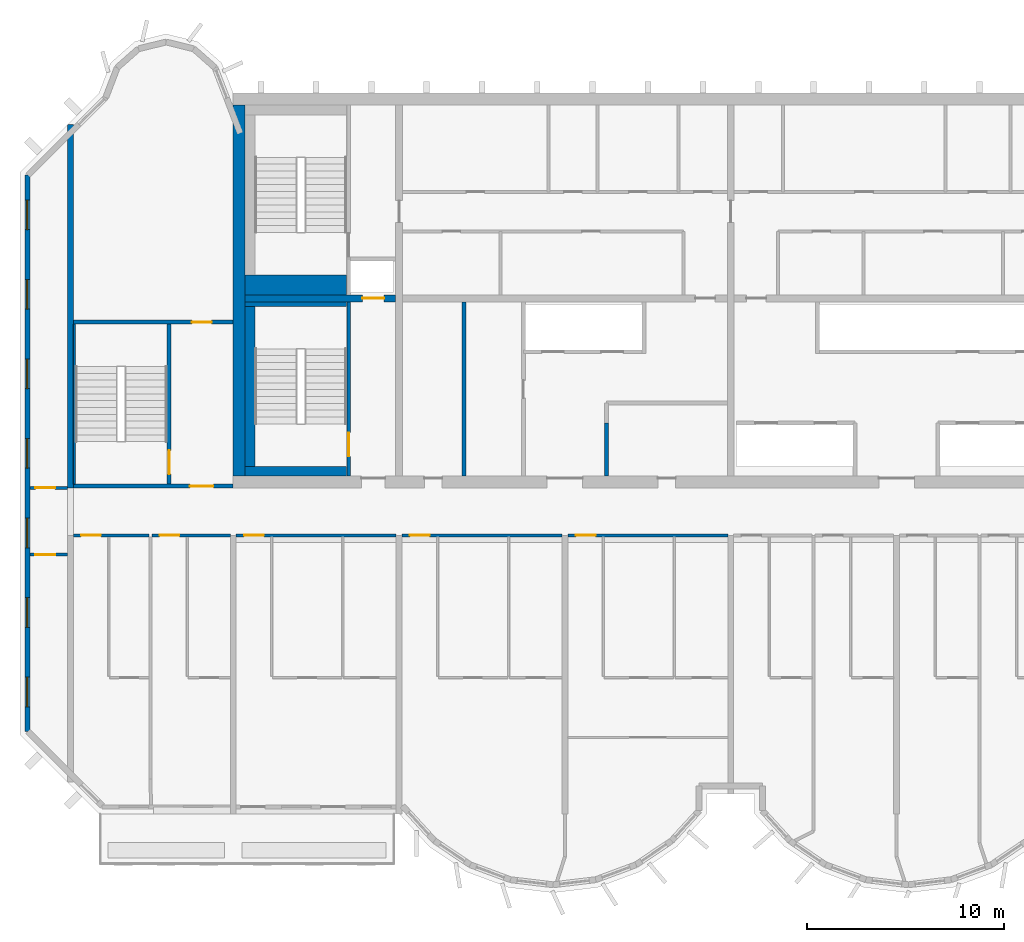
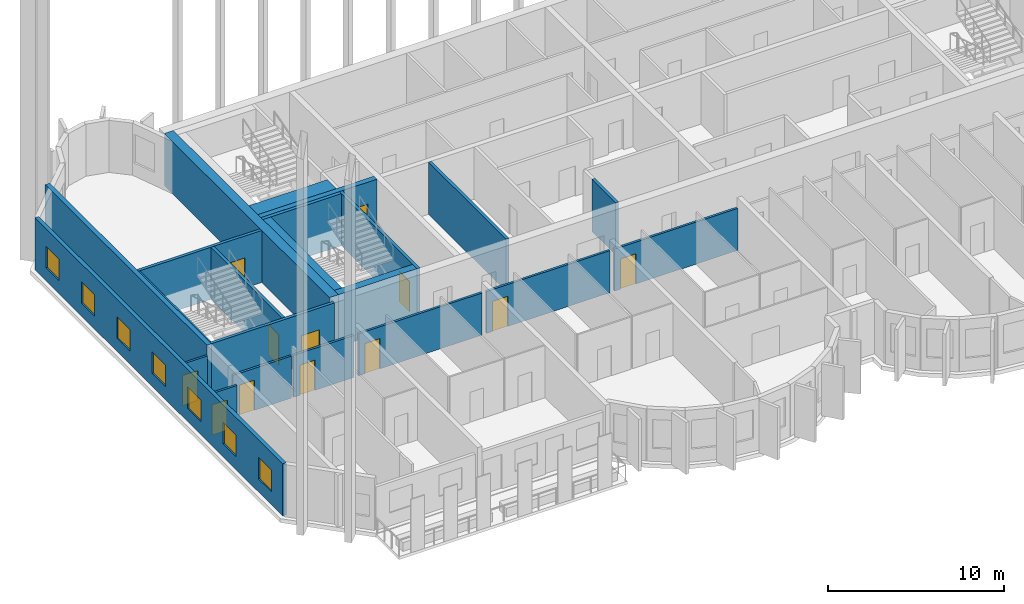
# One storey, part 3 of 13: 22 walls, 12 doors, 7 windows, 19 openings.
"""IFC4 building model written with IfcOpenShell, lengths in metres."""

from ifc_helpers import new_model, si_unit, direction, frame, frame_2d, origin, place, context, subcontext, project, spatial, rectangle, extrude, source, transform, mapped, material, layer, layer_set, type_object, element, fill, save


model = new_model("IFC4")

# Units and contexts
model_context = context("Model", 3, precision=1e-05, world=origin(), true_north=direction((0.0, 1.0)))
body_context = subcontext(model_context, "Body", "Model", "MODEL_VIEW")
ifc_project = project(units=[si_unit("LENGTHUNIT", "METRE"), si_unit("AREAUNIT", "SQUARE_METRE"), si_unit("VOLUMEUNIT", "CUBIC_METRE"), si_unit("PLANEANGLEUNIT", "RADIAN"), si_unit("MASSUNIT", "GRAM", prefix="KILO")], contexts=[model_context])

# Site, building, storey
site_placement = place(None, origin())
site = spatial("IfcSite", under=ifc_project, at=site_placement, CompositionType="ELEMENT")
building_placement = place(site_placement, origin())
building = spatial("IfcBuilding", under=site, at=building_placement, Name="Vanashikhar Sky Hotel", CompositionType="ELEMENT")
storey_placement = place(building_placement, frame((0.0, 0.0, 214.0)))
storey = spatial("IfcBuildingStorey", under=building, at=storey_placement, Name="L51", CompositionType="ELEMENT", Elevation=214.0)

# Wall
ifc_material_1 = material(Name="Concrete M60", Category="concrete")
ifc_layer_1 = layer(ifc_material_1, 0.60009765625)
ifc_layer_set_1 = layer_set([ifc_layer_1], Name="RC core shell wall 600 Concrete M60")
wall_type_1 = type_object("IfcWallType", Name="RC core shell wall 600 Concrete M60", PredefinedType="SHEAR", material=ifc_layer_set_1)
shared_shape_1 = source(origin(), body_context, "Body", "SweptSolid", [
    extrude(rectangle(XDim=18.7998046875, YDim=0.60009765625, at=frame_2d((9.39990234375, 0.0))), origin(), (0.0, 0.0, 1.0), 3.6201171875),
])
wall_1_placement = place(storey_placement, frame((25.5, 22.60009765625, 0.0), z_axis=(0.0, 0.0, 1.0), x_axis=(0.0, 1.0, 0.0)))
element("IfcWall", 1, at=wall_1_placement, inside=storey, type_object=wall_type_1, Name="KW-L51-KW", PredefinedType="SHEAR", context=body_context, shape_type="MappedRepresentation", body=[
    mapped(shared_shape_1, transform((0.0, 0.0, 0.0), scale=1.0)),
])

# Wall, opening, door
ifc_layer_2 = layer(ifc_material_1, 0.35009765625)
ifc_layer_set_2 = layer_set([ifc_layer_2], Name="RC core inner wall 350 Concrete M60")
wall_type_2 = type_object("IfcWallType", Name="RC core inner wall 350 Concrete M60", PredefinedType="SHEAR", material=ifc_layer_set_2)
shared_shape_2 = source(origin(), body_context, "Body", "SweptSolid", [
    extrude(rectangle(XDim=7.625, YDim=0.35009765625, at=frame_2d((3.8125, 0.0))), origin(), (0.0, 0.0, 1.0), 3.6201171875),
])
wall_2_placement = place(storey_placement, frame((25.800048828125, 31.60009765625, 0.0), z_axis=(0.0, 0.0, 1.0), x_axis=(1.0, 0.0, 0.0)))
wall_2 = element("IfcWall", 2, at=wall_2_placement, inside=storey, type_object=wall_type_2, Name="KW-L51-KY1", PredefinedType="SHEAR", context=body_context, shape_type="MappedRepresentation", body=[
    mapped(shared_shape_2, transform((0.0, 0.0, 0.0), scale=1.0)),
])
shared_shape_3 = source(origin(), body_context, "Body", "SweptSolid", [
    extrude(rectangle(XDim=1.10009765625, YDim=2.10009765625, at=frame_2d((0.550048828125, 1.050048828125))), frame((0.0, 0.18505859375, 0.0), z_axis=(0.0, -1.0, 0.0), x_axis=(1.0, 0.0, 0.0)), (0.0, 0.0, 1.0), 0.3701171875),
])
opening_1_placement = place(wall_2_placement, frame((5.93798828125, 0.0, 0.0)))
opening_1 = element("IfcOpeningElement", 3, at=opening_1_placement, cuts=wall_2, Name="Opening LD", PredefinedType="OPENING", context=body_context, shape_type="MappedRepresentation", body=[
    mapped(shared_shape_3, transform((0.0, 0.0, 0.0), scale=1.0)),
])
ifc_material_2 = material(Name="Stainless steel", Category="steel")
door_type_1 = type_object("IfcDoorType", Name="Lift landing door 1100", OperationType="NOTDEFINED", PredefinedType="DOOR", material=ifc_material_2)
shared_shape_4 = source(origin(), body_context, "Body", "SweptSolid", [
    extrude(rectangle(XDim=1.10009765625, YDim=2.10009765625, at=frame_2d((0.550048828125, 1.050048828125))), frame((0.0, 0.02490234375, 0.0), z_axis=(0.0, -1.0, 0.0), x_axis=(1.0, 0.0, 0.0)), (0.0, 0.0, 1.0), 0.050048828125),
])
door_1_placement = place(opening_1_placement, origin())
door_1 = element("IfcDoor", 4, at=door_1_placement, inside=storey, type_object=door_type_1, Name="Lift landing door 1100", OperationType="SLIDING_TO_LEFT", OverallHeight=2.10009765625, OverallWidth=1.10009765625, PredefinedType="DOOR", context=body_context, shape_type="MappedRepresentation", body=[
    mapped(shared_shape_4, transform((0.0, 0.0, 0.0), scale=1.0)),
])
fill(opening_1, door_1)

# Wall
ifc_layer_3 = layer(ifc_material_1, 0.300048828125)
ifc_layer_set_3 = layer_set([ifc_layer_3], Name="RC shear wall 300 Concrete M60")
wall_type_3 = type_object("IfcWallType", Name="RC shear wall 300 Concrete M60", PredefinedType="SHEAR", material=ifc_layer_set_3)
shared_shape_5 = source(origin(), body_context, "Body", "SweptSolid", [
    extrude(rectangle(XDim=18.39990234375, YDim=0.300048828125, at=frame_2d((9.199951171875, 0.0))), origin(), (0.0, 0.0, 1.0), 3.6201171875),
])
wall_3_placement = place(storey_placement, frame((16.949951171875, 22.0, 0.0), z_axis=(0.0, 0.0, 1.0), x_axis=(0.0, 1.0, 0.0)))
element("IfcWall", 5, at=wall_3_placement, inside=storey, type_object=wall_type_3, Name="CW-L51-XW03-2", PredefinedType="SHEAR", context=body_context, shape_type="MappedRepresentation", body=[
    mapped(shared_shape_5, transform((0.0, 0.0, 0.0), scale=1.0)),
])

# Wall, openings, windows
ifc_material_3 = material(Name="Concrete M50", Category="concrete")
ifc_layer_4 = layer(ifc_material_3, 0.25)
ifc_layer_set_4 = layer_set([ifc_layer_4], Name="Rear and end board-marked wall 250")
wall_type_4 = type_object("IfcWallType", Name="Rear and end board-marked wall 250", PredefinedType="SOLIDWALL", material=ifc_layer_set_4)
shared_shape_6 = source(origin(), body_context, "Body", "SweptSolid", [
    extrude(rectangle(XDim=28.189453125, YDim=0.25, at=frame_2d((14.0947265625, 0.0))), origin(), (0.0, 0.0, 1.0), 3.6201171875),
])
wall_4_placement = place(storey_placement, frame((14.77490234375, 37.8447265625, 0.0), z_axis=(0.0, 0.0, 1.0), x_axis=(0.0, -1.0, 0.0)))
wall_4 = element("IfcWall", 6, at=wall_4_placement, inside=storey, type_object=wall_type_4, Name="End board-marked wall", PredefinedType="SOLIDWALL", context=body_context, shape_type="MappedRepresentation", body=[
    mapped(shared_shape_6, transform((0.0, 0.0, 0.0), scale=1.0)),
])
shared_shape_7 = source(origin(), body_context, "Body", "SweptSolid", [
    extrude(rectangle(XDim=1.5, YDim=1.5, at=frame_2d((0.75, 0.75))), frame((0.0, 0.135009765625, 0.0), z_axis=(0.0, -1.0, 0.0), x_axis=(1.0, 0.0, 0.0)), (0.0, 0.0, 1.0), 0.27001953125),
])
opening_2_placement = place(wall_4_placement, frame((1.263427734375, 0.0, 0.89990234375)))
opening_2 = element("IfcOpeningElement", 7, at=opening_2_placement, cuts=wall_4, Name="Opening WN-1", PredefinedType="OPENING", context=body_context, shape_type="MappedRepresentation", body=[
    mapped(shared_shape_7, transform((0.0, 0.0, 0.0), scale=1.0)),
])
opening_3_placement = place(wall_4_placement, frame((5.29052734375, 0.0, 0.89990234375)))
opening_3 = element("IfcOpeningElement", 8, at=opening_3_placement, cuts=wall_4, Name="Opening WN-1", PredefinedType="OPENING", context=body_context, shape_type="MappedRepresentation", body=[
    mapped(shared_shape_7, transform((0.0, 0.0, 0.0), scale=1.0)),
])
opening_4_placement = place(wall_4_placement, frame((9.317626953125, 0.0, 0.89990234375)))
opening_4 = element("IfcOpeningElement", 9, at=opening_4_placement, cuts=wall_4, Name="Opening WN-1", PredefinedType="OPENING", context=body_context, shape_type="MappedRepresentation", body=[
    mapped(shared_shape_7, transform((0.0, 0.0, 0.0), scale=1.0)),
])
opening_5_placement = place(wall_4_placement, frame((13.3447265625, 0.0, 0.89990234375)))
opening_5 = element("IfcOpeningElement", 10, at=opening_5_placement, cuts=wall_4, Name="Opening WN-1", PredefinedType="OPENING", context=body_context, shape_type="MappedRepresentation", body=[
    mapped(shared_shape_7, transform((0.0, 0.0, 0.0), scale=1.0)),
])
opening_6_placement = place(wall_4_placement, frame((17.371826171875, 0.0, 0.89990234375)))
opening_6 = element("IfcOpeningElement", 11, at=opening_6_placement, cuts=wall_4, Name="Opening WN-1", PredefinedType="OPENING", context=body_context, shape_type="MappedRepresentation", body=[
    mapped(shared_shape_7, transform((0.0, 0.0, 0.0), scale=1.0)),
])
opening_7_placement = place(wall_4_placement, frame((21.398681640625, 0.0, 0.89990234375)))
opening_7 = element("IfcOpeningElement", 12, at=opening_7_placement, cuts=wall_4, Name="Opening WN-1", PredefinedType="OPENING", context=body_context, shape_type="MappedRepresentation", body=[
    mapped(shared_shape_7, transform((0.0, 0.0, 0.0), scale=1.0)),
])
opening_8_placement = place(wall_4_placement, frame((25.42578125, 0.0, 0.89990234375)))
opening_8 = element("IfcOpeningElement", 13, at=opening_8_placement, cuts=wall_4, Name="Opening WN-1", PredefinedType="OPENING", context=body_context, shape_type="MappedRepresentation", body=[
    mapped(shared_shape_7, transform((0.0, 0.0, 0.0), scale=1.0)),
])
ifc_material_4 = material(Name="Glass", Category="glass")
window_type = type_object("IfcWindowType", Name="Window 1500 x 1500", PartitioningType="SINGLE_PANEL", PredefinedType="WINDOW", material=ifc_material_4)
shared_shape_8 = source(origin(), body_context, "Body", "SweptSolid", [
    extrude(rectangle(XDim=1.5, YDim=1.5, at=frame_2d((0.75, 0.75))), frame((0.0, 0.030029296875, 0.0), z_axis=(0.0, -1.0, 0.0), x_axis=(1.0, 0.0, 0.0)), (0.0, 0.0, 1.0), 0.06005859375),
])
window_1_placement = place(opening_2_placement, origin())
window_1 = element("IfcWindow", 14, at=window_1_placement, inside=storey, type_object=window_type, Name="Window WN-1", OverallHeight=1.5, OverallWidth=1.5, PartitioningType="SINGLE_PANEL", PredefinedType="WINDOW", context=body_context, shape_type="MappedRepresentation", body=[
    mapped(shared_shape_8, transform((0.0, 0.0, 0.0), scale=1.0)),
])
fill(opening_2, window_1)
window_2_placement = place(opening_3_placement, origin())
window_2 = element("IfcWindow", 15, at=window_2_placement, inside=storey, type_object=window_type, Name="Window WN-1", OverallHeight=1.5, OverallWidth=1.5, PartitioningType="SINGLE_PANEL", PredefinedType="WINDOW", context=body_context, shape_type="MappedRepresentation", body=[
    mapped(shared_shape_8, transform((0.0, 0.0, 0.0), scale=1.0)),
])
fill(opening_3, window_2)
window_3_placement = place(opening_4_placement, origin())
window_3 = element("IfcWindow", 16, at=window_3_placement, inside=storey, type_object=window_type, Name="Window WN-1", OverallHeight=1.5, OverallWidth=1.5, PartitioningType="SINGLE_PANEL", PredefinedType="WINDOW", context=body_context, shape_type="MappedRepresentation", body=[
    mapped(shared_shape_8, transform((0.0, 0.0, 0.0), scale=1.0)),
])
fill(opening_4, window_3)
window_4_placement = place(opening_5_placement, origin())
window_4 = element("IfcWindow", 17, at=window_4_placement, inside=storey, type_object=window_type, Name="Window WN-1", OverallHeight=1.5, OverallWidth=1.5, PartitioningType="SINGLE_PANEL", PredefinedType="WINDOW", context=body_context, shape_type="MappedRepresentation", body=[
    mapped(shared_shape_8, transform((0.0, 0.0, 0.0), scale=1.0)),
])
fill(opening_5, window_4)
window_5_placement = place(opening_6_placement, origin())
window_5 = element("IfcWindow", 18, at=window_5_placement, inside=storey, type_object=window_type, Name="Window WN-1", OverallHeight=1.5, OverallWidth=1.5, PartitioningType="SINGLE_PANEL", PredefinedType="WINDOW", context=body_context, shape_type="MappedRepresentation", body=[
    mapped(shared_shape_8, transform((0.0, 0.0, 0.0), scale=1.0)),
])
fill(opening_6, window_5)
window_6_placement = place(opening_7_placement, origin())
window_6 = element("IfcWindow", 19, at=window_6_placement, inside=storey, type_object=window_type, Name="Window WN-1", OverallHeight=1.5, OverallWidth=1.5, PartitioningType="SINGLE_PANEL", PredefinedType="WINDOW", context=body_context, shape_type="MappedRepresentation", body=[
    mapped(shared_shape_8, transform((0.0, 0.0, 0.0), scale=1.0)),
])
fill(opening_7, window_6)
window_7_placement = place(opening_8_placement, origin())
window_7 = element("IfcWindow", 20, at=window_7_placement, inside=storey, type_object=window_type, Name="Window WN-1", OverallHeight=1.5, OverallWidth=1.5, PartitioningType="SINGLE_PANEL", PredefinedType="WINDOW", context=body_context, shape_type="MappedRepresentation", body=[
    mapped(shared_shape_8, transform((0.0, 0.0, 0.0), scale=1.0)),
])
fill(opening_8, window_7)

# Walls
ifc_material_5 = material(Name="Gypsum board partition")
ifc_layer_5 = layer(ifc_material_5, 0.14990234375)
ifc_layer_set_5 = layer_set([ifc_layer_5], Name="Service partition 150")
wall_type_5 = type_object("IfcWallType", Name="Service partition 150", PredefinedType="PARTITIONING", material=ifc_layer_set_5)
shared_shape_9 = source(origin(), body_context, "Body", "SweptSolid", [
    extrude(rectangle(XDim=8.824951171875, YDim=0.199951171875, at=frame_2d((4.41259765625, 0.0))), origin(), (0.0, 0.0, 1.0), 3.6201171875),
])
wall_5_placement = place(storey_placement, frame((36.89990234375, 22.60009765625, 0.0), z_axis=(0.0, 0.0, 1.0), x_axis=(0.0, 1.0, 0.0)))
element("IfcWall", 21, at=wall_5_placement, inside=storey, type_object=wall_type_5, Name="Service partition 150", PredefinedType="PARTITIONING", context=body_context, shape_type="MappedRepresentation", body=[
    mapped(shared_shape_9, transform((0.0, 0.0, 0.0), scale=1.0)),
])
shared_shape_10 = source(origin(), body_context, "Body", "SweptSolid", [
    extrude(rectangle(XDim=2.699951171875, YDim=0.199951171875, at=frame_2d((1.35009765625, 0.0))), origin(), (0.0, 0.0, 1.0), 3.6201171875),
])
wall_6_placement = place(storey_placement, frame((44.10009765625, 22.60009765625, 0.0), z_axis=(0.0, 0.0, 1.0), x_axis=(0.0, 1.0, 0.0)))
element("IfcWall", 22, at=wall_6_placement, inside=storey, type_object=wall_type_5, Name="Service partition 150", PredefinedType="PARTITIONING", context=body_context, shape_type="MappedRepresentation", body=[
    mapped(shared_shape_10, transform((0.0, 0.0, 0.0), scale=1.0)),
])

# Wall, opening, door
ifc_layer_6 = layer(ifc_material_3, 0.199951171875)
ifc_layer_set_6 = layer_set([ifc_layer_6], Name="Stair wall 200")
wall_type_6 = type_object("IfcWallType", Name="Stair wall 200", PredefinedType="SOLIDWALL", material=ifc_layer_set_6)
shared_shape_11 = source(origin(), body_context, "Body", "SweptSolid", [
    extrude(rectangle(XDim=8.824951171875, YDim=0.199951171875, at=frame_2d((4.41259765625, 0.0))), origin(), (0.0, 0.0, 1.0), 3.6201171875),
])
wall_7_placement = place(storey_placement, frame((31.050048828125, 22.60009765625, 0.0), z_axis=(0.0, 0.0, 1.0), x_axis=(0.0, 1.0, 0.0)))
wall_7 = element("IfcWall", 23, at=wall_7_placement, inside=storey, type_object=wall_type_6, Name="Stair wall 200", PredefinedType="SOLIDWALL", context=body_context, shape_type="MappedRepresentation", body=[
    mapped(shared_shape_11, transform((0.0, 0.0, 0.0), scale=1.0)),
])
shared_shape_12 = source(origin(), body_context, "Body", "SweptSolid", [
    extrude(rectangle(XDim=1.199951171875, YDim=2.10009765625, at=frame_2d((0.60009765625, 1.050048828125))), frame((0.0, 0.10986328125, 0.0), z_axis=(0.0, -1.0, 0.0), x_axis=(1.0, 0.0, 0.0)), (0.0, 0.0, 1.0), 0.219970703125),
])
opening_9_placement = place(wall_7_placement, frame((1.0, 0.0, 0.0)))
opening_9 = element("IfcOpeningElement", 24, at=opening_9_placement, cuts=wall_7, Name="Opening DC-1", PredefinedType="OPENING", context=body_context, shape_type="MappedRepresentation", body=[
    mapped(shared_shape_12, transform((0.0, 0.0, 0.0), scale=1.0)),
])
ifc_material_6 = material(Name="Steel", Category="steel")
door_type_2 = type_object("IfcDoorType", Name="Stair door 1200 FD120", OperationType="NOTDEFINED", PredefinedType="DOOR", material=ifc_material_6)
shared_shape_13 = source(origin(), body_context, "Body", "SweptSolid", [
    extrude(rectangle(XDim=1.199951171875, YDim=2.10009765625, at=frame_2d((0.60009765625, 1.050048828125))), frame((0.0, 0.02490234375, 0.0), z_axis=(0.0, -1.0, 0.0), x_axis=(1.0, 0.0, 0.0)), (0.0, 0.0, 1.0), 0.050048828125),
])
door_2_placement = place(opening_9_placement, origin())
door_2 = element("IfcDoor", 25, at=door_2_placement, inside=storey, type_object=door_type_2, Name="Stair door 1200 FD120", OperationType="SINGLE_SWING_LEFT", OverallHeight=2.10009765625, OverallWidth=1.199951171875, PredefinedType="DOOR", context=body_context, shape_type="MappedRepresentation", body=[
    mapped(shared_shape_13, transform((0.0, 0.0, 0.0), scale=1.0)),
])
fill(opening_9, door_2)

shared_shape_14 = source(origin(), body_context, "Body", "SweptSolid", [
    extrude(rectangle(XDim=8.2998046875, YDim=0.199951171875, at=frame_2d((4.14990234375, 0.0))), origin(), (0.0, 0.0, 1.0), 3.6201171875),
])
wall_8_placement = place(storey_placement, frame((21.949951171875, 22.10009765625, 0.0), z_axis=(0.0, 0.0, 1.0), x_axis=(0.0, 1.0, 0.0)))
wall_8 = element("IfcWall", 26, at=wall_8_placement, inside=storey, type_object=wall_type_6, Name="Stair wall 200", PredefinedType="SOLIDWALL", context=body_context, shape_type="MappedRepresentation", body=[
    mapped(shared_shape_14, transform((0.0, 0.0, 0.0), scale=1.0)),
])
opening_10_placement = place(wall_8_placement, frame((0.60009765625, 0.0, 0.0)))
opening_10 = element("IfcOpeningElement", 27, at=opening_10_placement, cuts=wall_8, Name="Opening DC-1", PredefinedType="OPENING", context=body_context, shape_type="MappedRepresentation", body=[
    mapped(shared_shape_12, transform((0.0, 0.0, 0.0), scale=1.0)),
])
door_3_placement = place(opening_10_placement, origin())
door_3 = element("IfcDoor", 28, at=door_3_placement, inside=storey, type_object=door_type_2, Name="Stair door 1200 FD120", OperationType="SINGLE_SWING_LEFT", OverallHeight=2.10009765625, OverallWidth=1.199951171875, PredefinedType="DOOR", context=body_context, shape_type="MappedRepresentation", body=[
    mapped(shared_shape_13, transform((0.0, 0.0, 0.0), scale=1.0)),
])
fill(opening_10, door_3)

shared_shape_15 = source(origin(), body_context, "Body", "SweptSolid", [
    extrude(rectangle(XDim=8.099853515625, YDim=0.199951171875, at=frame_2d((4.0498046875, 0.0))), origin(), (0.0, 0.0, 1.0), 3.6201171875),
])
wall_9_placement = place(storey_placement, frame((17.10009765625, 22.10009765625, 0.0), z_axis=(0.0, 0.0, 1.0), x_axis=(1.0, 0.0, 0.0)))
wall_9 = element("IfcWall", 29, at=wall_9_placement, inside=storey, type_object=wall_type_6, Name="Stair wall 200", PredefinedType="SOLIDWALL", context=body_context, shape_type="MappedRepresentation", body=[
    mapped(shared_shape_15, transform((0.0, 0.0, 0.0), scale=1.0)),
])
opening_11_placement = place(wall_9_placement, frame((5.89990234375, 0.0, 0.0)))
opening_11 = element("IfcOpeningElement", 30, at=opening_11_placement, cuts=wall_9, Name="Opening DC-2", PredefinedType="OPENING", context=body_context, shape_type="MappedRepresentation", body=[
    mapped(shared_shape_12, transform((0.0, 0.0, 0.0), scale=1.0)),
])
door_type_3 = type_object("IfcDoorType", Name="Firefighting lobby door 1200 FD120", OperationType="NOTDEFINED", PredefinedType="DOOR", material=ifc_material_6)
door_4_placement = place(opening_11_placement, origin())
door_4 = element("IfcDoor", 31, at=door_4_placement, inside=storey, type_object=door_type_3, Name="Firefighting lobby door 1200 FD120", OperationType="SINGLE_SWING_RIGHT", OverallHeight=2.10009765625, OverallWidth=1.199951171875, PredefinedType="DOOR", context=body_context, shape_type="MappedRepresentation", body=[
    mapped(shared_shape_13, transform((0.0, 0.0, 0.0), scale=1.0)),
])
fill(opening_11, door_4)

wall_10_placement = place(storey_placement, frame((17.10009765625, 30.39990234375, 0.0), z_axis=(0.0, 0.0, 1.0), x_axis=(1.0, 0.0, 0.0)))
wall_10 = element("IfcWall", 32, at=wall_10_placement, inside=storey, type_object=wall_type_6, Name="Stair wall 200", PredefinedType="SOLIDWALL", context=body_context, shape_type="MappedRepresentation", body=[
    mapped(shared_shape_15, transform((0.0, 0.0, 0.0), scale=1.0)),
])
shared_shape_16 = source(origin(), body_context, "Body", "SweptSolid", [
    extrude(rectangle(XDim=1.0, YDim=2.10009765625, at=frame_2d((0.5, 1.050048828125))), frame((0.0, 0.10986328125, 0.0), z_axis=(0.0, -1.0, 0.0), x_axis=(1.0, 0.0, 0.0)), (0.0, 0.0, 1.0), 0.219970703125),
])
opening_12_placement = place(wall_10_placement, frame((6.0, 0.0, 0.0)))
opening_12 = element("IfcOpeningElement", 33, at=opening_12_placement, cuts=wall_10, Name="Opening DC-6", PredefinedType="OPENING", context=body_context, shape_type="MappedRepresentation", body=[
    mapped(shared_shape_16, transform((0.0, 0.0, 0.0), scale=1.0)),
])
door_type_4 = type_object("IfcDoorType", Name="Pocket door 1000 FD60", OperationType="NOTDEFINED", PredefinedType="DOOR", material=ifc_material_6)
shared_shape_17 = source(origin(), body_context, "Body", "SweptSolid", [
    extrude(rectangle(XDim=1.0, YDim=2.10009765625, at=frame_2d((0.5, 1.050048828125))), frame((0.0, 0.02490234375, 0.0), z_axis=(0.0, -1.0, 0.0), x_axis=(1.0, 0.0, 0.0)), (0.0, 0.0, 1.0), 0.050048828125),
])
door_5_placement = place(opening_12_placement, origin())
door_5 = element("IfcDoor", 34, at=door_5_placement, inside=storey, type_object=door_type_4, Name="Pocket door 1000 FD60", OperationType="SINGLE_SWING_RIGHT", OverallHeight=2.10009765625, OverallWidth=1.0, PredefinedType="DOOR", context=body_context, shape_type="MappedRepresentation", body=[
    mapped(shared_shape_17, transform((0.0, 0.0, 0.0), scale=1.0)),
])
fill(opening_12, door_5)

# Walls
ifc_layer_7 = layer(ifc_material_3, 0.5)
ifc_layer_set_7 = layer_set([ifc_layer_7], Name="Stair infill wall 500")
wall_type_7 = type_object("IfcWallType", Name="Stair infill wall 500", PredefinedType="SOLIDWALL", material=ifc_layer_set_7)
shared_shape_18 = source(origin(), body_context, "Body", "SweptSolid", [
    extrude(rectangle(XDim=5.14990234375, YDim=0.5, at=frame_2d((2.574951171875, 0.0))), origin(), (0.0, 0.0, 1.0), 3.6201171875),
])
wall_11_placement = place(storey_placement, frame((25.800048828125, 22.85009765625, 0.0), z_axis=(0.0, 0.0, 1.0), x_axis=(1.0, 0.0, 0.0)))
element("IfcWall", 35, at=wall_11_placement, inside=storey, type_object=wall_type_7, Name="Stair infill wall 500", PredefinedType="SOLIDWALL", context=body_context, shape_type="MappedRepresentation", body=[
    mapped(shared_shape_18, transform((0.0, 0.0, 0.0), scale=1.0)),
])
ifc_layer_8 = layer(ifc_material_3, 0.22509765625)
ifc_layer_set_8 = layer_set([ifc_layer_8], Name="Stair infill wall 225")
wall_type_8 = type_object("IfcWallType", Name="Stair infill wall 225", PredefinedType="SOLIDWALL", material=ifc_layer_set_8)
shared_shape_19 = source(origin(), body_context, "Body", "SweptSolid", [
    extrude(rectangle(XDim=5.14990234375, YDim=0.22509765625, at=frame_2d((2.574951171875, 0.0))), origin(), (0.0, 0.0, 1.0), 3.6201171875),
])
wall_12_placement = place(storey_placement, frame((25.800048828125, 31.31201171875, 0.0), z_axis=(0.0, 0.0, 1.0), x_axis=(1.0, 0.0, 0.0)))
element("IfcWall", 36, at=wall_12_placement, inside=storey, type_object=wall_type_8, Name="Stair infill wall 225", PredefinedType="SOLIDWALL", context=body_context, shape_type="MappedRepresentation", body=[
    mapped(shared_shape_19, transform((0.0, 0.0, 0.0), scale=1.0)),
])
shared_shape_20 = source(origin(), body_context, "Body", "SweptSolid", [
    extrude(rectangle(XDim=8.099853515625, YDim=0.5, at=frame_2d((4.0498046875, 0.0))), origin(), (0.0, 0.0, 1.0), 3.6201171875),
])
wall_13_placement = place(storey_placement, frame((26.050048828125, 23.10009765625, 0.0), z_axis=(0.0, 0.0, 1.0), x_axis=(0.0, 1.0, 0.0)))
element("IfcWall", 37, at=wall_13_placement, inside=storey, type_object=wall_type_7, Name="Stair infill wall 500", PredefinedType="SOLIDWALL", context=body_context, shape_type="MappedRepresentation", body=[
    mapped(shared_shape_20, transform((0.0, 0.0, 0.0), scale=1.0)),
])
ifc_layer_9 = layer(ifc_material_3, 0.10009765625)
ifc_layer_set_9 = layer_set([ifc_layer_9], Name="Stair infill wall 100")
wall_type_9 = type_object("IfcWallType", Name="Stair infill wall 100", PredefinedType="SOLIDWALL", material=ifc_layer_set_9)
shared_shape_21 = source(origin(), body_context, "Body", "SweptSolid", [
    extrude(rectangle(XDim=8.10009765625, YDim=0.10009765625, at=frame_2d((4.050048828125, 0.0))), origin(), (0.0, 0.0, 1.0), 3.6201171875),
])
wall_14_placement = place(storey_placement, frame((17.14990234375, 22.199951171875, 0.0), z_axis=(0.0, 0.0, 1.0), x_axis=(0.0, 1.0, 0.0)))
element("IfcWall", 38, at=wall_14_placement, inside=storey, type_object=wall_type_9, Name="Stair infill wall 100", PredefinedType="SOLIDWALL", context=body_context, shape_type="MappedRepresentation", body=[
    mapped(shared_shape_21, transform((0.0, 0.0, 0.0), scale=1.0)),
])
ifc_layer_10 = layer(ifc_material_3, 1.02490234375)
ifc_layer_set_10 = layer_set([ifc_layer_10], Name="Stair infill wall 1025")
wall_type_10 = type_object("IfcWallType", Name="Stair infill wall 1025", PredefinedType="SOLIDWALL", material=ifc_layer_set_10)
shared_shape_22 = source(origin(), body_context, "Body", "SweptSolid", [
    extrude(rectangle(XDim=5.14990234375, YDim=1.02490234375, at=frame_2d((2.574951171875, 0.0))), origin(), (0.0, 0.0, 1.0), 3.6201171875),
])
wall_15_placement = place(storey_placement, frame((25.800048828125, 32.287109375, 0.0), z_axis=(0.0, 0.0, 1.0), x_axis=(1.0, 0.0, 0.0)))
element("IfcWall", 39, at=wall_15_placement, inside=storey, type_object=wall_type_10, Name="Stair infill wall 1025", PredefinedType="SOLIDWALL", context=body_context, shape_type="MappedRepresentation", body=[
    mapped(shared_shape_22, transform((0.0, 0.0, 0.0), scale=1.0)),
])

# Wall, opening, door
ifc_material_7 = material(Name="Gypsum plasterboard partition")
ifc_layer_11 = layer(ifc_material_7, 0.14990234375)
ifc_layer_set_11 = layer_set([ifc_layer_11], Name="Corridor and demising partition 150")
wall_type_11 = type_object("IfcWallType", Name="Corridor and demising partition 150", PredefinedType="PARTITIONING", material=ifc_layer_set_11)
shared_shape_23 = source(origin(), body_context, "Body", "SweptSolid", [
    extrude(rectangle(XDim=3.824951171875, YDim=0.14990234375, at=frame_2d((1.91259765625, 0.0))), origin(), (0.0, 0.0, 1.0), 2.919921875),
])
wall_16_placement = place(storey_placement, frame((17.10009765625, 19.60009765625, 0.0), z_axis=(0.0, 0.0, 1.0), x_axis=(1.0, 0.0, 0.0)))
wall_16 = element("IfcWall", 40, at=wall_16_placement, inside=storey, type_object=wall_type_11, Name="W-L51-PW003", PredefinedType="PARTITIONING", context=body_context, shape_type="MappedRepresentation", body=[
    mapped(shared_shape_23, transform((0.0, 0.0, 0.0), scale=1.0)),
])
shared_shape_24 = source(origin(), body_context, "Body", "SweptSolid", [
    extrude(rectangle(XDim=1.0, YDim=2.10009765625, at=frame_2d((0.5, 1.050048828125))), frame((0.0, 0.0849609375, 0.0), z_axis=(0.0, -1.0, 0.0), x_axis=(1.0, 0.0, 0.0)), (0.0, 0.0, 1.0), 0.169921875),
])
opening_13_placement = place(wall_16_placement, frame((0.39990234375, 0.0, 0.0)))
opening_13 = element("IfcOpeningElement", 41, at=opening_13_placement, cuts=wall_16, Name="Opening D-01", PredefinedType="OPENING", context=body_context, shape_type="MappedRepresentation", body=[
    mapped(shared_shape_24, transform((0.0, 0.0, 0.0), scale=1.0)),
])
ifc_material_8 = material(Name="Timber fire door", Category="wood")
door_type_5 = type_object("IfcDoorType", Name="Guest entry door 1000 FD30S", OperationType="NOTDEFINED", PredefinedType="DOOR", material=ifc_material_8)
door_6_placement = place(opening_13_placement, origin())
door_6 = element("IfcDoor", 42, at=door_6_placement, inside=storey, type_object=door_type_5, Name="D-L51-002", OperationType="SINGLE_SWING_LEFT", OverallHeight=2.10009765625, OverallWidth=1.0, PredefinedType="DOOR", context=body_context, shape_type="MappedRepresentation", body=[
    mapped(shared_shape_17, transform((0.0, 0.0, 0.0), scale=1.0)),
])
fill(opening_13, door_6)

shared_shape_25 = source(origin(), body_context, "Body", "SweptSolid", [
    extrude(rectangle(XDim=3.97509765625, YDim=0.14990234375, at=frame_2d((1.987548828125, 0.0))), origin(), (0.0, 0.0, 1.0), 2.919921875),
])
wall_17_placement = place(storey_placement, frame((21.074951171875, 19.60009765625, 0.0), z_axis=(0.0, 0.0, 1.0), x_axis=(1.0, 0.0, 0.0)))
wall_17 = element("IfcWall", 43, at=wall_17_placement, inside=storey, type_object=wall_type_11, Name="W-L51-PW006", PredefinedType="PARTITIONING", context=body_context, shape_type="MappedRepresentation", body=[
    mapped(shared_shape_25, transform((0.0, 0.0, 0.0), scale=1.0)),
])
opening_14_placement = place(wall_17_placement, frame((0.39990234375, 0.0, 0.0)))
opening_14 = element("IfcOpeningElement", 44, at=opening_14_placement, cuts=wall_17, Name="Opening D-01", PredefinedType="OPENING", context=body_context, shape_type="MappedRepresentation", body=[
    mapped(shared_shape_24, transform((0.0, 0.0, 0.0), scale=1.0)),
])
door_7_placement = place(opening_14_placement, origin())
door_7 = element("IfcDoor", 45, at=door_7_placement, inside=storey, type_object=door_type_5, Name="D-L51-004", OperationType="SINGLE_SWING_LEFT", OverallHeight=2.10009765625, OverallWidth=1.0, PredefinedType="DOOR", context=body_context, shape_type="MappedRepresentation", body=[
    mapped(shared_shape_17, transform((0.0, 0.0, 0.0), scale=1.0)),
])
fill(opening_14, door_7)

shared_shape_26 = source(origin(), body_context, "Body", "SweptSolid", [
    extrude(rectangle(XDim=8.099853515625, YDim=0.14990234375, at=frame_2d((4.0498046875, 0.0))), origin(), (0.0, 0.0, 1.0), 2.919921875),
])
wall_18_placement = place(storey_placement, frame((25.35009765625, 19.60009765625, 0.0), z_axis=(0.0, 0.0, 1.0), x_axis=(1.0, 0.0, 0.0)))
wall_18 = element("IfcWall", 46, at=wall_18_placement, inside=storey, type_object=wall_type_11, Name="W-L51-PW012", PredefinedType="PARTITIONING", context=body_context, shape_type="MappedRepresentation", body=[
    mapped(shared_shape_26, transform((0.0, 0.0, 0.0), scale=1.0)),
])
opening_15_placement = place(wall_18_placement, frame((0.39990234375, 0.0, 0.0)))
opening_15 = element("IfcOpeningElement", 47, at=opening_15_placement, cuts=wall_18, Name="Opening D-01", PredefinedType="OPENING", context=body_context, shape_type="MappedRepresentation", body=[
    mapped(shared_shape_24, transform((0.0, 0.0, 0.0), scale=1.0)),
])
door_8_placement = place(opening_15_placement, origin())
door_8 = element("IfcDoor", 48, at=door_8_placement, inside=storey, type_object=door_type_5, Name="D-L51-007", OperationType="SINGLE_SWING_LEFT", OverallHeight=2.10009765625, OverallWidth=1.0, PredefinedType="DOOR", context=body_context, shape_type="MappedRepresentation", body=[
    mapped(shared_shape_17, transform((0.0, 0.0, 0.0), scale=1.0)),
])
fill(opening_15, door_8)

shared_shape_27 = source(origin(), body_context, "Body", "SweptSolid", [
    extrude(rectangle(XDim=8.10009765625, YDim=0.14990234375, at=frame_2d((4.050048828125, 0.0))), origin(), (0.0, 0.0, 1.0), 2.919921875),
])
wall_19_placement = place(storey_placement, frame((33.75, 19.60009765625, 0.0), z_axis=(0.0, 0.0, 1.0), x_axis=(1.0, 0.0, 0.0)))
wall_19 = element("IfcWall", 49, at=wall_19_placement, inside=storey, type_object=wall_type_11, Name="W-L51-PW017", PredefinedType="PARTITIONING", context=body_context, shape_type="MappedRepresentation", body=[
    mapped(shared_shape_27, transform((0.0, 0.0, 0.0), scale=1.0)),
])
opening_16_placement = place(wall_19_placement, frame((0.39990234375, 0.0, 0.0)))
opening_16 = element("IfcOpeningElement", 50, at=opening_16_placement, cuts=wall_19, Name="Opening D-01", PredefinedType="OPENING", context=body_context, shape_type="MappedRepresentation", body=[
    mapped(shared_shape_24, transform((0.0, 0.0, 0.0), scale=1.0)),
])
door_9_placement = place(opening_16_placement, origin())
door_9 = element("IfcDoor", 51, at=door_9_placement, inside=storey, type_object=door_type_5, Name="D-L51-010", OperationType="SINGLE_SWING_LEFT", OverallHeight=2.10009765625, OverallWidth=1.0, PredefinedType="DOOR", context=body_context, shape_type="MappedRepresentation", body=[
    mapped(shared_shape_17, transform((0.0, 0.0, 0.0), scale=1.0)),
])
fill(opening_16, door_9)

wall_20_placement = place(storey_placement, frame((42.14990234375, 19.60009765625, 0.0), z_axis=(0.0, 0.0, 1.0), x_axis=(1.0, 0.0, 0.0)))
wall_20 = element("IfcWall", 52, at=wall_20_placement, inside=storey, type_object=wall_type_11, Name="W-L51-PW023", PredefinedType="PARTITIONING", context=body_context, shape_type="MappedRepresentation", body=[
    mapped(shared_shape_27, transform((0.0, 0.0, 0.0), scale=1.0)),
])
opening_17_placement = place(wall_20_placement, frame((0.39990234375, 0.0, 0.0)))
opening_17 = element("IfcOpeningElement", 53, at=opening_17_placement, cuts=wall_20, Name="Opening D-01", PredefinedType="OPENING", context=body_context, shape_type="MappedRepresentation", body=[
    mapped(shared_shape_24, transform((0.0, 0.0, 0.0), scale=1.0)),
])
door_10_placement = place(opening_17_placement, origin())
door_10 = element("IfcDoor", 54, at=door_10_placement, inside=storey, type_object=door_type_5, Name="D-L51-014", OperationType="SINGLE_SWING_LEFT", OverallHeight=2.10009765625, OverallWidth=1.0, PredefinedType="DOOR", context=body_context, shape_type="MappedRepresentation", body=[
    mapped(shared_shape_17, transform((0.0, 0.0, 0.0), scale=1.0)),
])
fill(opening_17, door_10)

shared_shape_28 = source(origin(), body_context, "Body", "SweptSolid", [
    extrude(rectangle(XDim=1.900146484375, YDim=0.14990234375, at=frame_2d((0.9501953125, 0.0))), origin(), (0.0, 0.0, 1.0), 2.919921875),
])
wall_21_placement = place(storey_placement, frame((14.89990234375, 22.0, 0.0), z_axis=(0.0, 0.0, 1.0), x_axis=(1.0, 0.0, 0.0)))
wall_21 = element("IfcWall", 55, at=wall_21_placement, inside=storey, type_object=wall_type_11, Name="W-L51-PW052", PredefinedType="PARTITIONING", context=body_context, shape_type="MappedRepresentation", body=[
    mapped(shared_shape_28, transform((0.0, 0.0, 0.0), scale=1.0)),
])
opening_18_placement = place(wall_21_placement, frame((0.27490234375, 0.0, 0.0)))
opening_18 = element("IfcOpeningElement", 56, at=opening_18_placement, cuts=wall_21, Name="Opening D-01", PredefinedType="OPENING", context=body_context, shape_type="MappedRepresentation", body=[
    mapped(shared_shape_24, transform((0.0, 0.0, 0.0), scale=1.0)),
])
door_11_placement = place(opening_18_placement, origin())
door_11 = element("IfcDoor", 57, at=door_11_placement, inside=storey, type_object=door_type_5, Name="D-L51-030", OperationType="SINGLE_SWING_LEFT", OverallHeight=2.10009765625, OverallWidth=1.0, PredefinedType="DOOR", context=body_context, shape_type="MappedRepresentation", body=[
    mapped(shared_shape_17, transform((0.0, 0.0, 0.0), scale=1.0)),
])
fill(opening_18, door_11)

wall_22_placement = place(storey_placement, frame((14.89990234375, 18.6279296875, 0.0), z_axis=(0.0, 0.0, 1.0), x_axis=(1.0, 0.0, 0.0)))
wall_22 = element("IfcWall", 58, at=wall_22_placement, inside=storey, type_object=wall_type_11, Name="W-L51-PW054", PredefinedType="PARTITIONING", context=body_context, shape_type="MappedRepresentation", body=[
    mapped(shared_shape_28, transform((0.0, 0.0, 0.0), scale=1.0)),
])
opening_19_placement = place(wall_22_placement, frame((0.27490234375, 0.0, 0.0)))
opening_19 = element("IfcOpeningElement", 59, at=opening_19_placement, cuts=wall_22, Name="Opening D-01", PredefinedType="OPENING", context=body_context, shape_type="MappedRepresentation", body=[
    mapped(shared_shape_24, transform((0.0, 0.0, 0.0), scale=1.0)),
])
door_12_placement = place(opening_19_placement, origin())
door_12 = element("IfcDoor", 60, at=door_12_placement, inside=storey, type_object=door_type_5, Name="D-L51-032", OperationType="SINGLE_SWING_LEFT", OverallHeight=2.10009765625, OverallWidth=1.0, PredefinedType="DOOR", context=body_context, shape_type="MappedRepresentation", body=[
    mapped(shared_shape_17, transform((0.0, 0.0, 0.0), scale=1.0)),
])
fill(opening_19, door_12)

save(model, "model.ifc")
